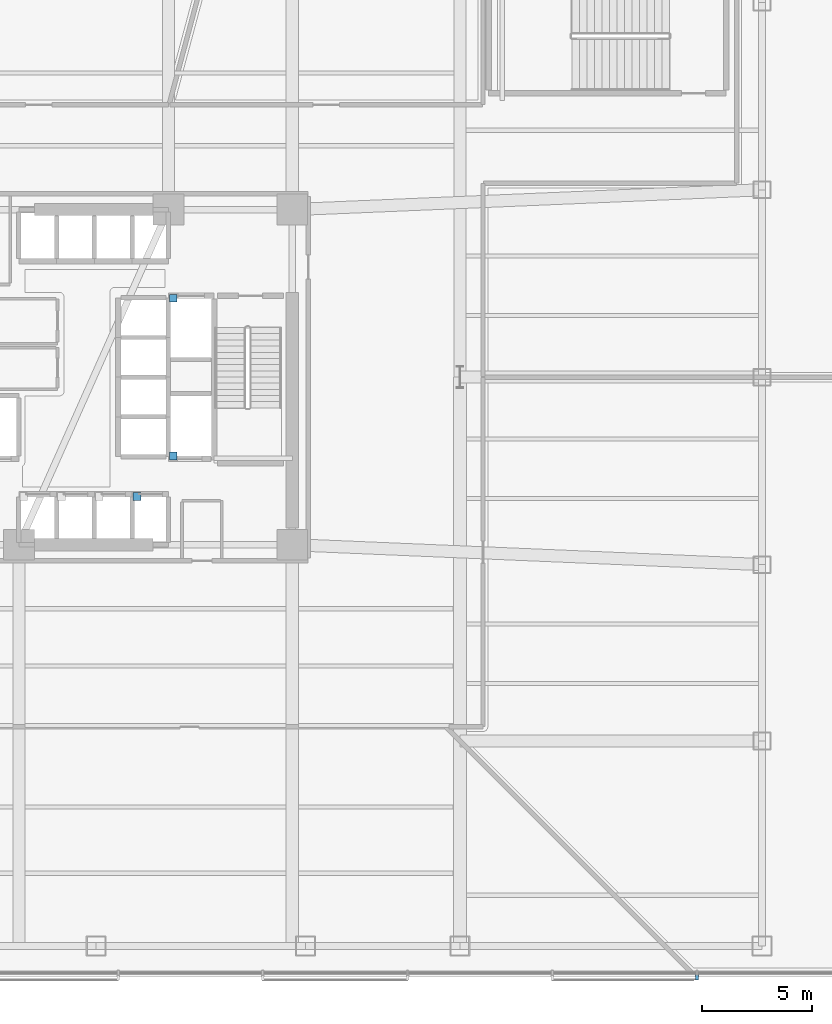
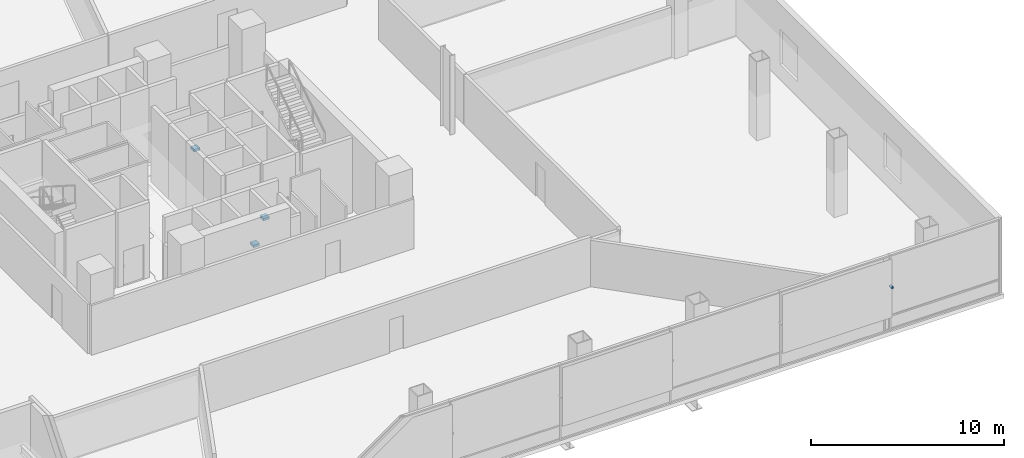
# One storey, part 16 of 24: 4 discrete accessories.
"""IFC4 building model written with IfcOpenShell, lengths in metres."""

from ifc_helpers import new_model, si_unit, direction, frame, origin, origin_2d, place, context, subcontext, project, spatial, rectangle, extrude, material, type_object, element, save


model = new_model("IFC4")

# Units and contexts
model_context = context("Model", 3, precision=1e-05, world=origin(), true_north=direction((0.0, 1.0)))
body_context = subcontext(model_context, "Body", "Model", "MODEL_VIEW")
ifc_project = project(units=[si_unit("LENGTHUNIT", "METRE"), si_unit("AREAUNIT", "SQUARE_METRE"), si_unit("VOLUMEUNIT", "CUBIC_METRE"), si_unit("PLANEANGLEUNIT", "RADIAN"), si_unit("MASSUNIT", "GRAM", prefix="KILO")], contexts=[model_context])

# Site, building, storey
site_placement = place(None, origin())
site = spatial("IfcSite", under=ifc_project, at=site_placement, CompositionType="ELEMENT")
building_placement = place(site_placement, origin())
building = spatial("IfcBuilding", under=site, at=building_placement, Name="Tharavind Bronze Gate", CompositionType="ELEMENT")
storey_placement = place(building_placement, frame((0.0, 0.0, 21.5)))
storey = spatial("IfcBuildingStorey", under=building, at=storey_placement, Name="L04", CompositionType="ELEMENT", Elevation=21.5)

# Discrete accessories
ifc_material_1 = material(Name="Galvanised Steel S355", Category="steel")
discrete_accessory_type_1 = type_object("IfcDiscreteAccessoryType", Name="LIFT GUIDE RAIL BRACKET", PredefinedType="BRACKET", material=ifc_material_1)
for number, where, z_axis, x_axis, name in (
    (1, (1.857421875, -5.419921875, 1.1201171875), (0.0, 0.0, 1.0), (1.0, 0.0, 0.0), "Lift PL4 guide rail bracket at L04"),
    (2, (3.5, 3.580078125, 1.1201171875), (0.0, 0.0, 1.0), (1.0, 0.0, 0.0), "Lift FFL2 guide rail bracket at L04"),
    (3, (3.5, -3.580078125, 1.1201171875), (0.0, 0.0, 1.0), (1.0, 0.0, 0.0), "Lift SVL1 guide rail bracket at L04"),
):
    element("IfcDiscreteAccessory", number, at=place(storey_placement, frame(where, z_axis=z_axis, x_axis=x_axis)), inside=storey, type_object=discrete_accessory_type_1, Name=name, PredefinedType="BRACKET", context=body_context, shape_type="SweptSolid", body=[
        extrude(rectangle(XDim=0.360107421875, YDim=0.360107421875, at=origin_2d()), origin(), (0.0, 0.0, 1.0), 0.159912109375),
    ])
ifc_material_2 = material(Name="Stainless Steel 316", Category="steel")
discrete_accessory_type_2 = type_object("IfcDiscreteAccessoryType", Name="SOLAR SCREEN STANDOFF BRACKET", PredefinedType="BRACKET", material=ifc_material_2)
discrete_accessory_placement = place(storey_placement, frame((27.256103515625, -27.219970703125, 2.760009765625), z_axis=(0.0, 0.0, 1.0), x_axis=(1.0, 0.0, 0.0)))
element("IfcDiscreteAccessory", 4, at=discrete_accessory_placement, inside=storey, type_object=discrete_accessory_type_2, Name="CW-L04-S1 solar screen bracket 9.2", PredefinedType="BRACKET", context=body_context, shape_type="SweptSolid", body=[
    extrude(rectangle(XDim=0.1201171875, YDim=0.239990234375, at=origin_2d()), origin(), (0.0, 0.0, 1.0), 0.1201171875),
])

save(model, "model.ifc")
